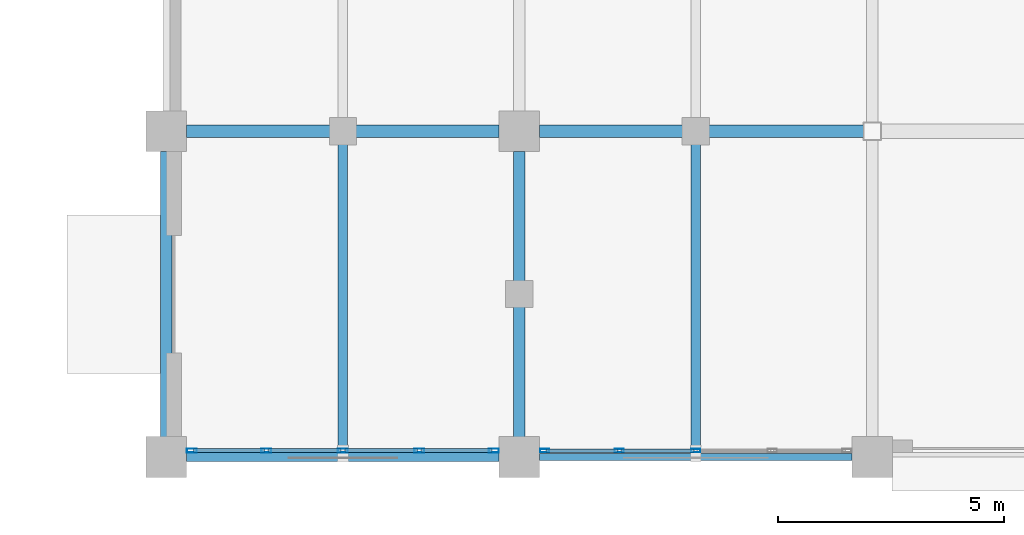
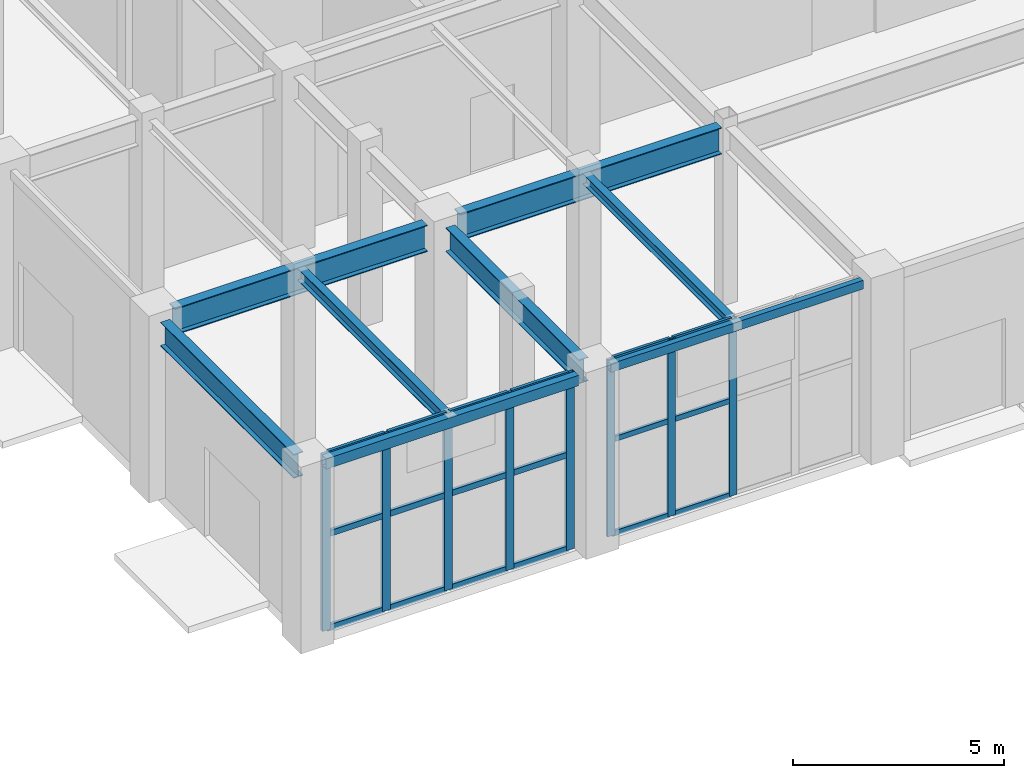
# One storey, part 76 of 139: 26 members, 8 beams, 2 elements without a shape of their own.
"""IFC4 building model written with IfcOpenShell, lengths in metres."""

from ifc_helpers import new_model, si_unit, direction, frame, origin, origin_2d, place, context, subcontext, project, spatial, hollow_rectangle, i_section, extrude, material, layer, layer_set, material_profile, profile_set, type_object, element, aggregate, save


model = new_model("IFC4")

# Units and contexts
model_context = context("Model", 3, precision=1e-05, world=origin(), true_north=direction((0.0, 1.0)))
body_context = subcontext(model_context, "Body", "Model", "MODEL_VIEW")
ifc_project = project(units=[si_unit("LENGTHUNIT", "METRE"), si_unit("AREAUNIT", "SQUARE_METRE"), si_unit("VOLUMEUNIT", "CUBIC_METRE"), si_unit("PLANEANGLEUNIT", "RADIAN"), si_unit("MASSUNIT", "GRAM", prefix="KILO")], contexts=[model_context])

# Site, building, storey
site_placement = place(None, origin())
site = spatial("IfcSite", under=ifc_project, at=site_placement, CompositionType="ELEMENT")
building_placement = place(site_placement, origin())
building = spatial("IfcBuilding", under=site, at=building_placement, Name="Xicomal Pleat Aquarium", CompositionType="ELEMENT")
storey_placement = place(building_placement, origin())
storey = spatial("IfcBuildingStorey", under=building, at=storey_placement, Name="L01", CompositionType="ELEMENT", Elevation=0.0)

# Beams
ifc_material_1 = material(Name="Structural steel A992 Gr 50", Category="steel")
ifc_material_profile_1 = material_profile(ifc_material_1, i_section(OverallWidth=0.202880859375, OverallDepth=0.302978515625, WebThickness=0.007568359375, FlangeThickness=0.01318359375, at=origin_2d()), Name="IR 310x60")
ifc_profile_set_1 = profile_set([ifc_material_profile_1], Name="Structural steel A992 Gr 50")
beam_type_1 = type_object("IfcBeamType", Name="BM-STL-IR310", PredefinedType="JOIST", material=ifc_profile_set_1)
beam_1_placement = place(storey_placement, frame((145.5, 0.8779296875, 4.968505859375), z_axis=(0.0, 1.0, 0.0), x_axis=(-1.0, 0.0, 0.0)))
element("IfcBeam", 1, at=beam_1_placement, inside=storey, type_object=beam_type_1, Name="L01 framing beam FBJ-L01-18-A-1", PredefinedType="JOIST", context=body_context, shape_type="SweptSolid", body=[
    extrude(i_section(OverallWidth=0.202880859375, OverallDepth=0.302978515625, WebThickness=0.007568359375, FlangeThickness=0.01318359375, at=origin_2d()), origin(), (0.0, 0.0, 1.0), 6.985107421875),
])
ifc_material_2 = material(Name="Structural steel A992 Gr 50", Category="steel")
ifc_material_profile_2 = material_profile(ifc_material_2, i_section(OverallWidth=0.205078125, OverallDepth=0.35400390625, WebThickness=0.009521484375, FlangeThickness=0.016845703125, at=origin_2d()), Name="IR 360x79")
ifc_profile_set_2 = profile_set([ifc_material_profile_2], Name="Structural steel A992 Gr 50")
beam_type_2 = type_object("IfcBeamType", Name="BM-STL-IR360", PredefinedType="JOIST", material=ifc_profile_set_2)
beam_2_placement = place(storey_placement, frame((137.699951171875, 0.903076171875, 4.943115234375), z_axis=(0.0, 1.0, 0.0), x_axis=(-1.0, 0.0, 0.0)))
element("IfcBeam", 2, at=beam_2_placement, inside=storey, type_object=beam_type_2, Name="L01 framing beam FBJ-L01-17-A-1", PredefinedType="JOIST", context=body_context, shape_type="SweptSolid", body=[
    extrude(i_section(OverallWidth=0.205078125, OverallDepth=0.35400390625, WebThickness=0.009521484375, FlangeThickness=0.016845703125, at=origin_2d()), origin(), (0.0, 0.0, 1.0), 6.9599609375),
])
ifc_material_3 = material(Name="Structural steel A992 Gr 50", Category="steel")
ifc_material_profile_3 = material_profile(ifc_material_3, i_section(OverallWidth=0.256103515625, OverallDepth=0.693115234375, WebThickness=0.014404296875, FlangeThickness=0.023681640625, at=origin_2d()), Name="IR 690x170")
ifc_profile_set_3 = profile_set([ifc_material_profile_3], Name="Structural steel A992 Gr 50")
beam_type_3 = type_object("IfcBeamType", Name="BM-STL-IR690", PredefinedType="BEAM", material=ifc_profile_set_3)
for number, where, z_axis, x_axis, name in (
    (3, (133.800048828125, 1.2451171875, 4.7734375), (0.0, 1.0, 0.0), (-1.0, 0.0, 0.0), "L01 framing beam FGY-L01-17-A-B"),
    (4, (141.60009765625, 1.2451171875, 4.7734375), (0.0, 1.0, 0.0), (-1.0, 0.0, 0.0), "L01 framing beam FGY-L01-18-A-B"),
):
    element("IfcBeam", number, at=place(storey_placement, frame(where, z_axis=z_axis, x_axis=x_axis)), inside=storey, type_object=beam_type_3, Name=name, PredefinedType="BEAM", context=body_context, shape_type="SweptSolid", body=[
        extrude(i_section(OverallWidth=0.256103515625, OverallDepth=0.693115234375, WebThickness=0.014404296875, FlangeThickness=0.023681640625, at=origin_2d()), origin(), (0.0, 0.0, 1.0), 6.309814453125),
    ])
ifc_material_4 = material(Name="Structural steel A992 Gr 50", Category="steel")
ifc_material_profile_4 = material_profile(ifc_material_4, i_section(OverallWidth=0.26806640625, OverallDepth=0.77001953125, WebThickness=0.015625, FlangeThickness=0.025390625, at=origin_2d()), Name="IR 760x196")
ifc_profile_set_4 = profile_set([ifc_material_profile_4], Name="Structural steel A992 Gr 50")
beam_type_4 = type_object("IfcBeamType", Name="BM-STL-IR760", PredefinedType="BEAM", material=ifc_profile_set_4)
beam_3_placement = place(storey_placement, frame((134.2451171875, 8.0, 4.735107421875), z_axis=(1.0, 0.0, 0.0), x_axis=(0.0, 1.0, 0.0)))
element("IfcBeam", 5, at=beam_3_placement, inside=storey, type_object=beam_type_4, Name="L01 framing beam FGX-L01-17-18-B", PredefinedType="BEAM", context=body_context, shape_type="SweptSolid", body=[
    extrude(i_section(OverallWidth=0.26806640625, OverallDepth=0.77001953125, WebThickness=0.015625, FlangeThickness=0.025390625, at=origin_2d()), origin(), (0.0, 0.0, 1.0), 6.909912109375),
])
beam_4_placement = place(storey_placement, frame((142.044921875, 8.0, 4.735107421875), z_axis=(1.0, 0.0, 0.0), x_axis=(0.0, 1.0, 0.0)))
element("IfcBeam", 6, at=beam_4_placement, inside=storey, type_object=beam_type_4, Name="L01 framing beam FGX-L01-18-19-B", PredefinedType="BEAM", context=body_context, shape_type="SweptSolid", body=[
    extrude(i_section(OverallWidth=0.26806640625, OverallDepth=0.77001953125, WebThickness=0.015625, FlangeThickness=0.025390625, at=origin_2d()), origin(), (0.0, 0.0, 1.0), 7.16015625),
])
ifc_material_5 = material(Name="Structural steel A500 Gr C", Category="steel")
ifc_material_profile_5 = material_profile(ifc_material_5, hollow_rectangle(XDim=0.14990234375, YDim=0.25, WallThickness=0.010009765625, at=origin_2d()), Name="OR 250x150x10")
ifc_profile_set_5 = profile_set([ifc_material_profile_5], Name="Structural steel A500 Gr C")
beam_type_5 = type_object("IfcBeamType", Name="BM-STL-OR250", PredefinedType="SPANDREL", material=ifc_profile_set_5)
beam_5_placement = place(storey_placement, frame((142.044921875, 0.800048828125, 4.9951171875), z_axis=(1.0, 0.0, 0.0), x_axis=(0.0, 1.0, 0.0)))
element("IfcBeam", 7, at=beam_5_placement, inside=storey, type_object=beam_type_5, Name="L01 framing beam FGX-L01-18-19-A", PredefinedType="SPANDREL", context=body_context, shape_type="SweptSolid", body=[
    extrude(hollow_rectangle(XDim=0.14990234375, YDim=0.25, WallThickness=0.010009765625, at=origin_2d()), origin(), (0.0, 0.0, 1.0), 6.91015625),
])
ifc_material_6 = material(Name="Structural steel A500 Gr C", Category="steel")
ifc_material_profile_6 = material_profile(ifc_material_6, hollow_rectangle(XDim=0.199951171875, YDim=0.300048828125, WallThickness=0.011962890625, at=origin_2d()), Name="OR 300x200x12")
ifc_profile_set_6 = profile_set([ifc_material_profile_6], Name="Structural steel A500 Gr C")
beam_type_6 = type_object("IfcBeamType", Name="BM-STL-OR300", PredefinedType="SPANDREL", material=ifc_profile_set_6)
beam_6_placement = place(storey_placement, frame((134.2451171875, 0.800048828125, 4.969970703125), z_axis=(1.0, 0.0, 0.0), x_axis=(0.0, 1.0, 0.0)))
element("IfcBeam", 8, at=beam_6_placement, inside=storey, type_object=beam_type_6, Name="L01 framing beam FGX-L01-17-18-A", PredefinedType="SPANDREL", context=body_context, shape_type="SweptSolid", body=[
    extrude(hollow_rectangle(XDim=0.199951171875, YDim=0.300048828125, WallThickness=0.011962890625, at=origin_2d()), origin(), (0.0, 0.0, 1.0), 6.909912109375),
])

# Curtain wall, members
ifc_material_7 = material(Name="Bronze anodized aluminium 6063-T6", Category="aluminium")
ifc_layer_1 = layer(ifc_material_7, 0.159912109375)
ifc_layer_set_1 = layer_set([ifc_layer_1], Name="Bronze anodized aluminium 6063-T6")
curtain_wall_type_1 = type_object("IfcCurtainWallType", Name="CW-SYS-06", PredefinedType="NOTDEFINED", material=ifc_layer_set_1)
curtain_wall_1_placement = place(storey_placement, origin())
curtain_wall_1 = element("IfcCurtainWall", 9, at=curtain_wall_1_placement, inside=storey, type_object=curtain_wall_type_1, Name="L01 unitised curtain wall CW-L01-061", PredefinedType="NOTDEFINED")
ifc_material_8 = material(Name="Bronze anodized aluminium 6063-T6", Category="aluminium")
ifc_material_profile_7 = material_profile(ifc_material_8, hollow_rectangle(XDim=0.074951171875, YDim=0.199951171875, WallThickness=0.00439453125, at=origin_2d()), Name="ALU MULL 75x200")
ifc_profile_set_7 = profile_set([ifc_material_profile_7], Name="Bronze anodized aluminium 6063-T6")
member_type_1 = type_object("IfcMemberType", Name="CWM-75x200", PredefinedType="MULLION", material=ifc_profile_set_7)
member_1_placement = place(storey_placement, frame((145.5, 0.93994140625, 0.0), z_axis=(0.0, 0.0, 1.0), x_axis=(0.0, -1.0, 0.0)))
member_1 = element("IfcMember", 10, at=member_1_placement, type_object=member_type_1, Name="CW-06 mullion 3", PredefinedType="MULLION", context=body_context, shape_type="SweptSolid", body=[
    extrude(hollow_rectangle(XDim=0.074951171875, YDim=0.199951171875, WallThickness=0.00439453125, at=origin_2d()), origin(), (0.0, 0.0, 1.0), 5.1201171875),
])
member_2_placement = place(storey_placement, frame((143.81005859375, 0.93994140625, 0.0), z_axis=(0.0, 0.0, 1.0), x_axis=(0.0, -1.0, 0.0)))
member_2 = element("IfcMember", 11, at=member_2_placement, type_object=member_type_1, Name="CW-06 mullion 4", PredefinedType="MULLION", context=body_context, shape_type="SweptSolid", body=[
    extrude(hollow_rectangle(XDim=0.074951171875, YDim=0.199951171875, WallThickness=0.00439453125, at=origin_2d()), origin(), (0.0, 0.0, 1.0), 5.1201171875),
])
member_3_placement = place(storey_placement, frame((142.157470703125, 0.93994140625, 0.0), z_axis=(0.0, 0.0, 1.0), x_axis=(0.0, -1.0, 0.0)))
member_3 = element("IfcMember", 12, at=member_3_placement, type_object=member_type_1, Name="CW-06 mullion 5", PredefinedType="MULLION", context=body_context, shape_type="SweptSolid", body=[
    extrude(hollow_rectangle(XDim=0.074951171875, YDim=0.199951171875, WallThickness=0.00439453125, at=origin_2d()), origin(), (0.0, 0.0, 1.0), 5.1201171875),
])

ifc_material_9 = material(Name="Bronze anodized aluminium 6063-T6", Category="aluminium")
ifc_layer_2 = layer(ifc_material_9, 0.159912109375)
ifc_layer_set_2 = layer_set([ifc_layer_2], Name="Bronze anodized aluminium 6063-T6")
curtain_wall_type_2 = type_object("IfcCurtainWallType", Name="CW-SYS-11", PredefinedType="NOTDEFINED", material=ifc_layer_set_2)
curtain_wall_2_placement = place(storey_placement, origin())
curtain_wall_2 = element("IfcCurtainWall", 13, at=curtain_wall_2_placement, inside=storey, type_object=curtain_wall_type_2, Name="L01 unitised curtain wall CW-L01-062", PredefinedType="NOTDEFINED")
ifc_material_10 = material(Name="Bronze anodized aluminium 6063-T6", Category="aluminium")
ifc_material_profile_8 = material_profile(ifc_material_10, hollow_rectangle(XDim=0.0849609375, YDim=0.219970703125, WallThickness=0.0048828125, at=origin_2d()), Name="ALU MULL 85x220")
ifc_profile_set_8 = profile_set([ifc_material_profile_8], Name="Bronze anodized aluminium 6063-T6")
member_type_2 = type_object("IfcMemberType", Name="CWM-85x220", PredefinedType="MULLION", material=ifc_profile_set_8)
member_4_placement = place(storey_placement, frame((141.03759765625, 0.93994140625, 0.0), z_axis=(0.0, 0.0, 1.0), x_axis=(0.0, -1.0, 0.0)))
member_4 = element("IfcMember", 14, at=member_4_placement, type_object=member_type_2, Name="CW-11 mullion 1", PredefinedType="MULLION", context=body_context, shape_type="SweptSolid", body=[
    extrude(hollow_rectangle(XDim=0.0849609375, YDim=0.219970703125, WallThickness=0.0048828125, at=origin_2d()), origin(), (0.0, 0.0, 1.0), 5.1201171875),
])
member_5_placement = place(storey_placement, frame((139.389892578125, 0.93994140625, 0.0), z_axis=(0.0, 0.0, 1.0), x_axis=(0.0, -1.0, 0.0)))
member_5 = element("IfcMember", 15, at=member_5_placement, type_object=member_type_2, Name="CW-11 mullion 2", PredefinedType="MULLION", context=body_context, shape_type="SweptSolid", body=[
    extrude(hollow_rectangle(XDim=0.0849609375, YDim=0.219970703125, WallThickness=0.0048828125, at=origin_2d()), origin(), (0.0, 0.0, 1.0), 5.1201171875),
])
member_6_placement = place(storey_placement, frame((137.699951171875, 0.93994140625, 0.0), z_axis=(0.0, 0.0, 1.0), x_axis=(0.0, -1.0, 0.0)))
member_6 = element("IfcMember", 16, at=member_6_placement, type_object=member_type_2, Name="CW-11 mullion 3", PredefinedType="MULLION", context=body_context, shape_type="SweptSolid", body=[
    extrude(hollow_rectangle(XDim=0.0849609375, YDim=0.219970703125, WallThickness=0.0048828125, at=origin_2d()), origin(), (0.0, 0.0, 1.0), 5.1201171875),
])
member_7_placement = place(storey_placement, frame((136.010009765625, 0.93994140625, 0.0), z_axis=(0.0, 0.0, 1.0), x_axis=(0.0, -1.0, 0.0)))
member_7 = element("IfcMember", 17, at=member_7_placement, type_object=member_type_2, Name="CW-11 mullion 4", PredefinedType="MULLION", context=body_context, shape_type="SweptSolid", body=[
    extrude(hollow_rectangle(XDim=0.0849609375, YDim=0.219970703125, WallThickness=0.0048828125, at=origin_2d()), origin(), (0.0, 0.0, 1.0), 5.1201171875),
])
member_8_placement = place(storey_placement, frame((134.362548828125, 0.93994140625, 0.0), z_axis=(0.0, 0.0, 1.0), x_axis=(0.0, -1.0, 0.0)))
member_8 = element("IfcMember", 18, at=member_8_placement, type_object=member_type_2, Name="CW-11 mullion 5", PredefinedType="MULLION", context=body_context, shape_type="SweptSolid", body=[
    extrude(hollow_rectangle(XDim=0.0849609375, YDim=0.219970703125, WallThickness=0.0048828125, at=origin_2d()), origin(), (0.0, 0.0, 1.0), 5.1201171875),
])

# Member
ifc_material_11 = material(Name="Bronze anodized aluminium 6063-T6", Category="aluminium")
ifc_material_profile_9 = material_profile(ifc_material_11, hollow_rectangle(XDim=0.074951171875, YDim=0.14990234375, WallThickness=0.00439453125, at=origin_2d()), Name="ALU TRAN 75x150")
ifc_profile_set_9 = profile_set([ifc_material_profile_9], Name="Bronze anodized aluminium 6063-T6")
member_type_3 = type_object("IfcMemberType", Name="CWT-75x150", PredefinedType="USERDEFINED", material=ifc_profile_set_9)
member_9_placement = place(storey_placement, frame((145.46240234375, 0.93994140625, 0.03759765625), z_axis=(-1.0, 0.0, 0.0), x_axis=(0.0, -1.0, 0.0)))
member_9 = element("IfcMember", 19, at=member_9_placement, type_object=member_type_3, Name="CW-06 transom 3.1", ObjectType="TRANSOM", PredefinedType="USERDEFINED", context=body_context, shape_type="SweptSolid", body=[
    extrude(hollow_rectangle(XDim=0.074951171875, YDim=0.14990234375, WallThickness=0.00439453125, at=origin_2d()), origin(), (0.0, 0.0, 1.0), 1.614990234375),
])

member_10_placement = place(storey_placement, frame((145.46240234375, 0.93994140625, 2.764892578125), z_axis=(-1.0, 0.0, 0.0), x_axis=(0.0, -1.0, 0.0)))
member_10 = element("IfcMember", 20, at=member_10_placement, type_object=member_type_3, Name="CW-06 transom 3.2", ObjectType="TRANSOM", PredefinedType="USERDEFINED", context=body_context, shape_type="SweptSolid", body=[
    extrude(hollow_rectangle(XDim=0.074951171875, YDim=0.14990234375, WallThickness=0.00439453125, at=origin_2d()), origin(), (0.0, 0.0, 1.0), 1.614990234375),
])

member_11_placement = place(storey_placement, frame((145.46240234375, 0.93994140625, 5.08251953125), z_axis=(-1.0, 0.0, 0.0), x_axis=(0.0, -1.0, 0.0)))
member_11 = element("IfcMember", 21, at=member_11_placement, type_object=member_type_3, Name="CW-06 transom 3.3", ObjectType="TRANSOM", PredefinedType="USERDEFINED", context=body_context, shape_type="SweptSolid", body=[
    extrude(hollow_rectangle(XDim=0.074951171875, YDim=0.14990234375, WallThickness=0.00439453125, at=origin_2d()), origin(), (0.0, 0.0, 1.0), 1.614990234375),
])

member_12_placement = place(storey_placement, frame((143.7724609375, 0.93994140625, 0.03759765625), z_axis=(-1.0, 0.0, 0.0), x_axis=(0.0, -1.0, 0.0)))
member_12 = element("IfcMember", 22, at=member_12_placement, type_object=member_type_3, Name="CW-06 transom 4.1", ObjectType="TRANSOM", PredefinedType="USERDEFINED", context=body_context, shape_type="SweptSolid", body=[
    extrude(hollow_rectangle(XDim=0.074951171875, YDim=0.14990234375, WallThickness=0.00439453125, at=origin_2d()), origin(), (0.0, 0.0, 1.0), 1.577392578125),
])

member_13_placement = place(storey_placement, frame((143.7724609375, 0.93994140625, 2.764892578125), z_axis=(-1.0, 0.0, 0.0), x_axis=(0.0, -1.0, 0.0)))
member_13 = element("IfcMember", 23, at=member_13_placement, type_object=member_type_3, Name="CW-06 transom 4.2", ObjectType="TRANSOM", PredefinedType="USERDEFINED", context=body_context, shape_type="SweptSolid", body=[
    extrude(hollow_rectangle(XDim=0.074951171875, YDim=0.14990234375, WallThickness=0.00439453125, at=origin_2d()), origin(), (0.0, 0.0, 1.0), 1.577392578125),
])

member_14_placement = place(storey_placement, frame((143.7724609375, 0.93994140625, 5.08251953125), z_axis=(-1.0, 0.0, 0.0), x_axis=(0.0, -1.0, 0.0)))
member_14 = element("IfcMember", 24, at=member_14_placement, type_object=member_type_3, Name="CW-06 transom 4.3", ObjectType="TRANSOM", PredefinedType="USERDEFINED", context=body_context, shape_type="SweptSolid", body=[
    extrude(hollow_rectangle(XDim=0.074951171875, YDim=0.14990234375, WallThickness=0.00439453125, at=origin_2d()), origin(), (0.0, 0.0, 1.0), 1.577392578125),
])

aggregate(curtain_wall_1, [member_1, member_2, member_3, member_9, member_10, member_11, member_12, member_13, member_14])

ifc_material_12 = material(Name="Bronze anodized aluminium 6063-T6", Category="aluminium")
ifc_material_profile_10 = material_profile(ifc_material_12, hollow_rectangle(XDim=0.0849609375, YDim=0.169921875, WallThickness=0.0048828125, at=origin_2d()), Name="ALU TRAN 85x170")
ifc_profile_set_10 = profile_set([ifc_material_profile_10], Name="Bronze anodized aluminium 6063-T6")
member_type_4 = type_object("IfcMemberType", Name="CWT-85x170", PredefinedType="USERDEFINED", material=ifc_profile_set_10)
member_15_placement = place(storey_placement, frame((140.9951171875, 0.93994140625, 0.04248046875), z_axis=(-1.0, 0.0, 0.0), x_axis=(0.0, -1.0, 0.0)))
member_15 = element("IfcMember", 25, at=member_15_placement, type_object=member_type_4, Name="CW-11 transom 1.1", ObjectType="TRANSOM", PredefinedType="USERDEFINED", context=body_context, shape_type="SweptSolid", body=[
    extrude(hollow_rectangle(XDim=0.0849609375, YDim=0.169921875, WallThickness=0.0048828125, at=origin_2d()), origin(), (0.0, 0.0, 1.0), 1.5625),
])

member_16_placement = place(storey_placement, frame((140.9951171875, 0.93994140625, 2.764892578125), z_axis=(-1.0, 0.0, 0.0), x_axis=(0.0, -1.0, 0.0)))
member_16 = element("IfcMember", 26, at=member_16_placement, type_object=member_type_4, Name="CW-11 transom 1.2", ObjectType="TRANSOM", PredefinedType="USERDEFINED", context=body_context, shape_type="SweptSolid", body=[
    extrude(hollow_rectangle(XDim=0.0849609375, YDim=0.169921875, WallThickness=0.0048828125, at=origin_2d()), origin(), (0.0, 0.0, 1.0), 1.5625),
])

member_17_placement = place(storey_placement, frame((140.9951171875, 0.93994140625, 5.077392578125), z_axis=(-1.0, 0.0, 0.0), x_axis=(0.0, -1.0, 0.0)))
member_17 = element("IfcMember", 27, at=member_17_placement, type_object=member_type_4, Name="CW-11 transom 1.3", ObjectType="TRANSOM", PredefinedType="USERDEFINED", context=body_context, shape_type="SweptSolid", body=[
    extrude(hollow_rectangle(XDim=0.0849609375, YDim=0.169921875, WallThickness=0.0048828125, at=origin_2d()), origin(), (0.0, 0.0, 1.0), 1.5625),
])

member_18_placement = place(storey_placement, frame((139.347412109375, 0.93994140625, 0.04248046875), z_axis=(-1.0, 0.0, 0.0), x_axis=(0.0, -1.0, 0.0)))
member_18 = element("IfcMember", 28, at=member_18_placement, type_object=member_type_4, Name="CW-11 transom 2.1", ObjectType="TRANSOM", PredefinedType="USERDEFINED", context=body_context, shape_type="SweptSolid", body=[
    extrude(hollow_rectangle(XDim=0.0849609375, YDim=0.169921875, WallThickness=0.0048828125, at=origin_2d()), origin(), (0.0, 0.0, 1.0), 1.60498046875),
])

member_19_placement = place(storey_placement, frame((139.347412109375, 0.93994140625, 2.764892578125), z_axis=(-1.0, 0.0, 0.0), x_axis=(0.0, -1.0, 0.0)))
member_19 = element("IfcMember", 29, at=member_19_placement, type_object=member_type_4, Name="CW-11 transom 2.2", ObjectType="TRANSOM", PredefinedType="USERDEFINED", context=body_context, shape_type="SweptSolid", body=[
    extrude(hollow_rectangle(XDim=0.0849609375, YDim=0.169921875, WallThickness=0.0048828125, at=origin_2d()), origin(), (0.0, 0.0, 1.0), 1.60498046875),
])

member_20_placement = place(storey_placement, frame((139.347412109375, 0.93994140625, 5.077392578125), z_axis=(-1.0, 0.0, 0.0), x_axis=(0.0, -1.0, 0.0)))
member_20 = element("IfcMember", 30, at=member_20_placement, type_object=member_type_4, Name="CW-11 transom 2.3", ObjectType="TRANSOM", PredefinedType="USERDEFINED", context=body_context, shape_type="SweptSolid", body=[
    extrude(hollow_rectangle(XDim=0.0849609375, YDim=0.169921875, WallThickness=0.0048828125, at=origin_2d()), origin(), (0.0, 0.0, 1.0), 1.60498046875),
])

member_21_placement = place(storey_placement, frame((137.657470703125, 0.93994140625, 0.04248046875), z_axis=(-1.0, 0.0, 0.0), x_axis=(0.0, -1.0, 0.0)))
member_21 = element("IfcMember", 31, at=member_21_placement, type_object=member_type_4, Name="CW-11 transom 3.1", ObjectType="TRANSOM", PredefinedType="USERDEFINED", context=body_context, shape_type="SweptSolid", body=[
    extrude(hollow_rectangle(XDim=0.0849609375, YDim=0.169921875, WallThickness=0.0048828125, at=origin_2d()), origin(), (0.0, 0.0, 1.0), 1.60498046875),
])

member_22_placement = place(storey_placement, frame((137.657470703125, 0.93994140625, 2.764892578125), z_axis=(-1.0, 0.0, 0.0), x_axis=(0.0, -1.0, 0.0)))
member_22 = element("IfcMember", 32, at=member_22_placement, type_object=member_type_4, Name="CW-11 transom 3.2", ObjectType="TRANSOM", PredefinedType="USERDEFINED", context=body_context, shape_type="SweptSolid", body=[
    extrude(hollow_rectangle(XDim=0.0849609375, YDim=0.169921875, WallThickness=0.0048828125, at=origin_2d()), origin(), (0.0, 0.0, 1.0), 1.60498046875),
])

member_23_placement = place(storey_placement, frame((137.657470703125, 0.93994140625, 5.077392578125), z_axis=(-1.0, 0.0, 0.0), x_axis=(0.0, -1.0, 0.0)))
member_23 = element("IfcMember", 33, at=member_23_placement, type_object=member_type_4, Name="CW-11 transom 3.3", ObjectType="TRANSOM", PredefinedType="USERDEFINED", context=body_context, shape_type="SweptSolid", body=[
    extrude(hollow_rectangle(XDim=0.0849609375, YDim=0.169921875, WallThickness=0.0048828125, at=origin_2d()), origin(), (0.0, 0.0, 1.0), 1.60498046875),
])

member_24_placement = place(storey_placement, frame((135.967529296875, 0.93994140625, 0.04248046875), z_axis=(-1.0, 0.0, 0.0), x_axis=(0.0, -1.0, 0.0)))
member_24 = element("IfcMember", 34, at=member_24_placement, type_object=member_type_4, Name="CW-11 transom 4.1", ObjectType="TRANSOM", PredefinedType="USERDEFINED", context=body_context, shape_type="SweptSolid", body=[
    extrude(hollow_rectangle(XDim=0.0849609375, YDim=0.169921875, WallThickness=0.0048828125, at=origin_2d()), origin(), (0.0, 0.0, 1.0), 1.5625),
])

member_25_placement = place(storey_placement, frame((135.967529296875, 0.93994140625, 2.764892578125), z_axis=(-1.0, 0.0, 0.0), x_axis=(0.0, -1.0, 0.0)))
member_25 = element("IfcMember", 35, at=member_25_placement, type_object=member_type_4, Name="CW-11 transom 4.2", ObjectType="TRANSOM", PredefinedType="USERDEFINED", context=body_context, shape_type="SweptSolid", body=[
    extrude(hollow_rectangle(XDim=0.0849609375, YDim=0.169921875, WallThickness=0.0048828125, at=origin_2d()), origin(), (0.0, 0.0, 1.0), 1.5625),
])

member_26_placement = place(storey_placement, frame((135.967529296875, 0.93994140625, 5.077392578125), z_axis=(-1.0, 0.0, 0.0), x_axis=(0.0, -1.0, 0.0)))
member_26 = element("IfcMember", 36, at=member_26_placement, type_object=member_type_4, Name="CW-11 transom 4.3", ObjectType="TRANSOM", PredefinedType="USERDEFINED", context=body_context, shape_type="SweptSolid", body=[
    extrude(hollow_rectangle(XDim=0.0849609375, YDim=0.169921875, WallThickness=0.0048828125, at=origin_2d()), origin(), (0.0, 0.0, 1.0), 1.5625),
])

aggregate(curtain_wall_2, [member_4, member_5, member_6, member_7, member_8, member_15, member_16, member_17, member_18, member_19, member_20, member_21, member_22, member_23, member_24, member_25, member_26])

save(model, "model.ifc")
